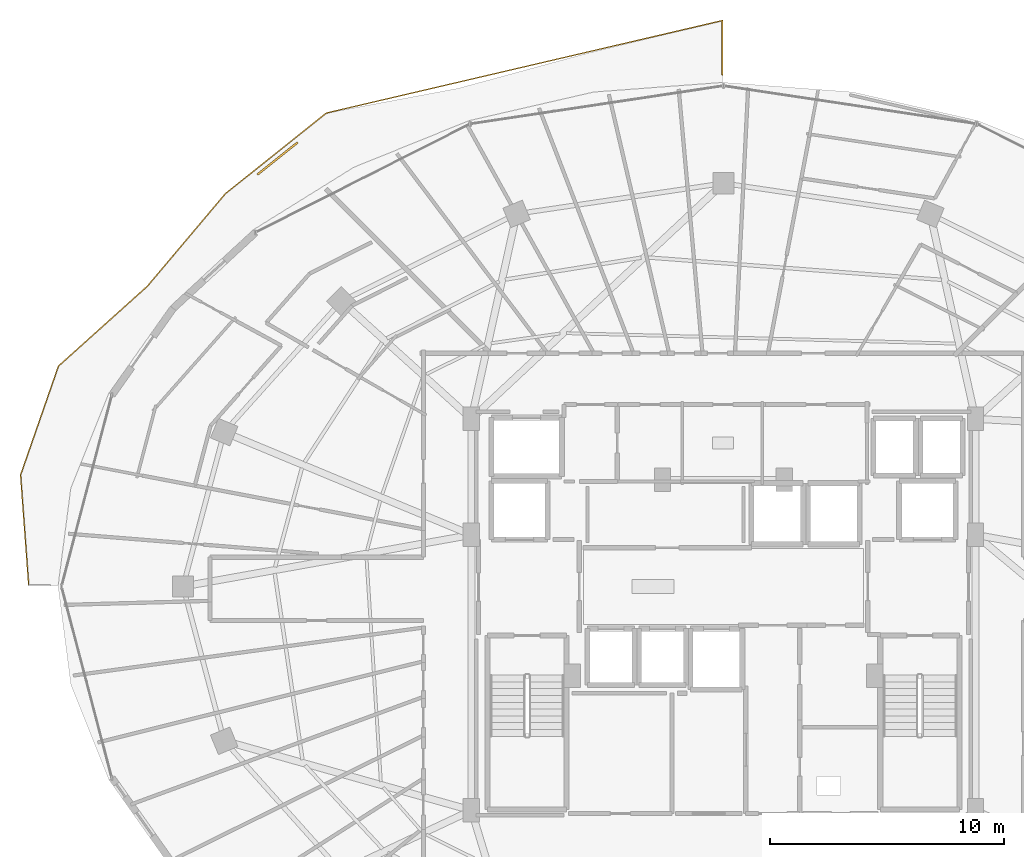
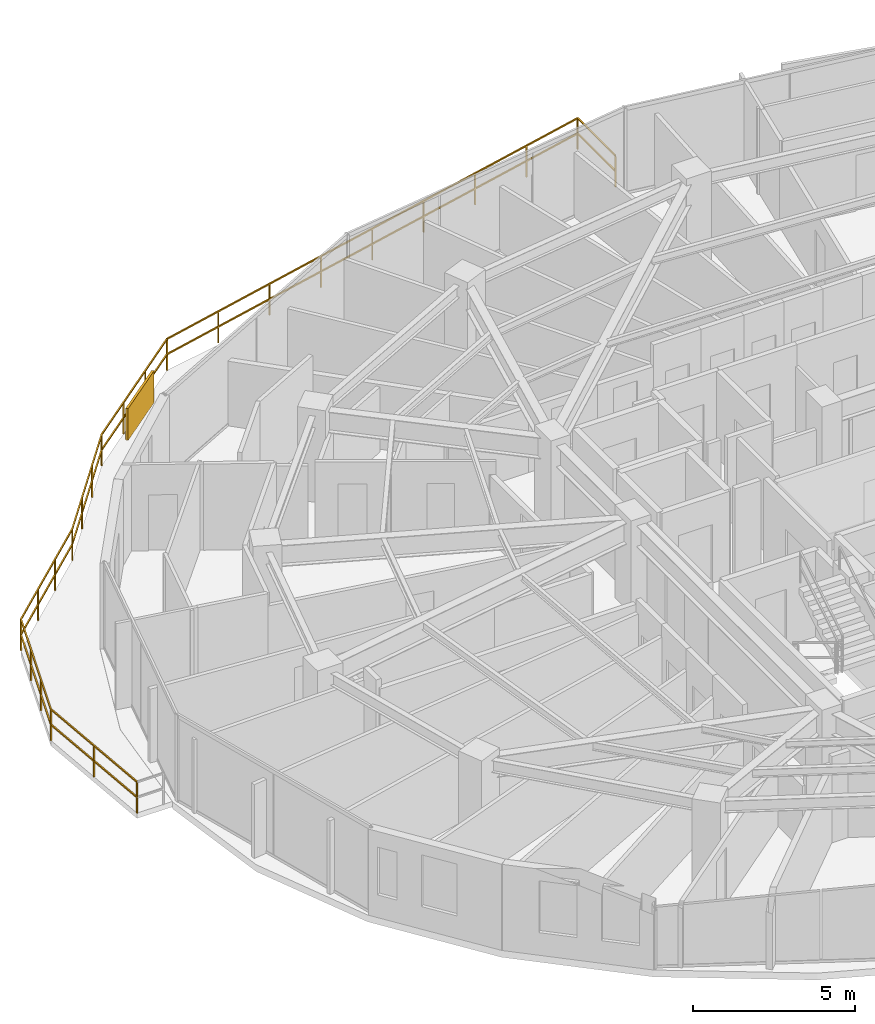
# One storey, part 30 of 31: 1 railing, 1 shading device.
"""IFC4 building model written with IfcOpenShell, lengths in metres."""

from ifc_helpers import new_model, si_unit, direction, frame, origin, origin_2d, place, context, subcontext, project, spatial, rectangle, extrude, material, type_object, element, save


model = new_model("IFC4")

# Units and contexts
model_context = context("Model", 3, precision=1e-05, world=origin(), true_north=direction((0.0, 1.0)))
body_context = subcontext(model_context, "Body", "Model", "MODEL_VIEW")
ifc_project = project(units=[si_unit("LENGTHUNIT", "METRE"), si_unit("AREAUNIT", "SQUARE_METRE"), si_unit("VOLUMEUNIT", "CUBIC_METRE"), si_unit("PLANEANGLEUNIT", "RADIAN"), si_unit("MASSUNIT", "GRAM", prefix="KILO")], contexts=[model_context])

# Site, building, storey
site_placement = place(None, origin())
site = spatial("IfcSite", under=ifc_project, at=site_placement, CompositionType="ELEMENT")
building_placement = place(site_placement, origin())
building = spatial("IfcBuilding", under=site, at=building_placement, Name="Vorneva Point Tower", CompositionType="ELEMENT")
storey_placement = place(building_placement, frame((0.0, 0.0, 193.10009765625)))
storey = spatial("IfcBuildingStorey", under=building, at=storey_placement, Name="L52", CompositionType="ELEMENT", Elevation=193.10009765625)

# Railing
ifc_material = material(Name="Pale anodised aluminium", Category="aluminium")
railing_type = type_object("IfcRailingType", Name="RL-BAL-1200", PredefinedType="BALUSTRADE", material=ifc_material)
railing_placement = place(storey_placement, frame((37.949951171875, 47.817138671875, 0.0)))
element("IfcRailing", 1, at=railing_placement, inside=storey, type_object=railing_type, Name="L52 Wave Balcony Balustrade NW.2", PredefinedType="BALUSTRADE", context=body_context, shape_type="SweptSolid", body=[
    extrude(rectangle(XDim=0.048095703125, YDim=0.048095703125, at=origin_2d()), frame((0.0, 0.0, 1.17578125), z_axis=(0.0, 1.0, 0.0), x_axis=(-1.0, 0.0, 0.0)), (0.0, 0.0, 1.0), 2.32080078125),
    extrude(rectangle(XDim=0.048095703125, YDim=0.048095703125, at=origin_2d()), frame((0.0, 0.0, 0.60009765625), z_axis=(0.0, 1.0, 0.0), x_axis=(-1.0, 0.0, 0.0)), (0.0, 0.0, 1.0), 2.32080078125),
    extrude(rectangle(XDim=0.048095703125, YDim=0.048095703125, at=origin_2d()), frame((0.0, 2.32080078125, 1.17578125), z_axis=(-0.973794466116, -0.2274298524, 0.0), x_axis=(0.2274298524, -0.973794466116, 0.0)), (0.0, 0.0, 1.0), 17.34423828125),
    extrude(rectangle(XDim=0.048095703125, YDim=0.048095703125, at=origin_2d()), frame((0.0, 2.32080078125, 0.60009765625), z_axis=(-0.973794466116, -0.2274298524, 0.0), x_axis=(0.2274298524, -0.973794466116, 0.0)), (0.0, 0.0, 1.0), 17.34423828125),
    extrude(rectangle(XDim=0.048095703125, YDim=0.048095703125, at=origin_2d()), frame((-16.8896484375, -1.623779296875, 1.17578125), z_axis=(-0.781581742766, -0.62380283694, 0.0), x_axis=(0.62380283694, -0.781581742766, 0.0)), (0.0, 0.0, 1.0), 5.508544921875),
    extrude(rectangle(XDim=0.048095703125, YDim=0.048095703125, at=origin_2d()), frame((-16.8896484375, -1.623779296875, 0.60009765625), z_axis=(-0.781581742766, -0.62380283694, 0.0), x_axis=(0.62380283694, -0.781581742766, 0.0)), (0.0, 0.0, 1.0), 5.508544921875),
    extrude(rectangle(XDim=0.048095703125, YDim=0.048095703125, at=origin_2d()), frame((-21.195068359375, -5.06005859375, 1.17578125), z_axis=(-0.644460214612, -0.764637843545, 0.0), x_axis=(0.764637843545, -0.644460214612, 0.0)), (0.0, 0.0, 1.0), 5.166015625),
    extrude(rectangle(XDim=0.048095703125, YDim=0.048095703125, at=origin_2d()), frame((-21.195068359375, -5.06005859375, 0.60009765625), z_axis=(-0.644460214612, -0.764637843545, 0.0), x_axis=(0.764637843545, -0.644460214612, 0.0)), (0.0, 0.0, 1.0), 5.166015625),
    extrude(rectangle(XDim=0.048095703125, YDim=0.048095703125, at=origin_2d()), frame((-24.5244140625, -9.01025390625, 1.17578125), z_axis=(-0.743803703003, -0.668398123425, 0.0), x_axis=(0.668398123425, -0.743803703003, 0.0)), (0.0, 0.0, 1.0), 5.09619140625),
    extrude(rectangle(XDim=0.048095703125, YDim=0.048095703125, at=origin_2d()), frame((-24.5244140625, -9.01025390625, 0.60009765625), z_axis=(-0.743803703003, -0.668398123425, 0.0), x_axis=(0.668398123425, -0.743803703003, 0.0)), (0.0, 0.0, 1.0), 5.09619140625),
    extrude(rectangle(XDim=0.048095703125, YDim=0.048095703125, at=origin_2d()), frame((-28.31494140625, -12.41650390625, 1.17578125), z_axis=(-0.328537961783, -0.944490766322, 0.0), x_axis=(0.944490766322, -0.328537961783, 0.0)), (0.0, 0.0, 1.0), 4.915771484375),
    extrude(rectangle(XDim=0.048095703125, YDim=0.048095703125, at=origin_2d()), frame((-28.31494140625, -12.41650390625, 0.60009765625), z_axis=(-0.328537961783, -0.944490766322, 0.0), x_axis=(0.944490766322, -0.328537961783, 0.0)), (0.0, 0.0, 1.0), 4.915771484375),
    extrude(rectangle(XDim=0.048095703125, YDim=0.048095703125, at=origin_2d()), frame((-29.929931640625, -17.059326171875, 1.17578125), z_axis=(0.073338251452, -0.997307124648, 0.0), x_axis=(0.997307124648, 0.073338251452, 0.0)), (0.0, 0.0, 1.0), 4.720458984375),
    extrude(rectangle(XDim=0.048095703125, YDim=0.048095703125, at=origin_2d()), frame((-29.929931640625, -17.059326171875, 0.60009765625), z_axis=(0.073338251452, -0.997307124648, 0.0), x_axis=(0.997307124648, 0.073338251452, 0.0)), (0.0, 0.0, 1.0), 4.720458984375),
    extrude(rectangle(XDim=0.0419921875, YDim=0.0419921875, at=origin_2d()), origin(), (0.0, 0.0, 1.0), 1.15185546875),
    extrude(rectangle(XDim=0.0419921875, YDim=0.0419921875, at=origin_2d()), frame((0.0, 2.32080078125, 0.0)), (0.0, 0.0, 1.0), 1.15185546875),
    extrude(rectangle(XDim=0.0419921875, YDim=0.0419921875, at=origin_2d()), frame((-2.111328125, 1.82763671875, 0.0)), (0.0, 0.0, 1.0), 1.15185546875),
    extrude(rectangle(XDim=0.0419921875, YDim=0.0419921875, at=origin_2d()), frame((-4.222412109375, 1.334716796875, 0.0)), (0.0, 0.0, 1.0), 1.15185546875),
    extrude(rectangle(XDim=0.0419921875, YDim=0.0419921875, at=origin_2d()), frame((-6.33349609375, 0.841552734375, 0.0)), (0.0, 0.0, 1.0), 1.15185546875),
    extrude(rectangle(XDim=0.0419921875, YDim=0.0419921875, at=origin_2d()), frame((-8.44482421875, 0.3486328125, 0.0)), (0.0, 0.0, 1.0), 1.15185546875),
    extrude(rectangle(XDim=0.0419921875, YDim=0.0419921875, at=origin_2d()), frame((-10.55615234375, -0.14453125, 0.0)), (0.0, 0.0, 1.0), 1.15185546875),
    extrude(rectangle(XDim=0.0419921875, YDim=0.0419921875, at=origin_2d()), frame((-12.667236328125, -0.6376953125, 0.0)), (0.0, 0.0, 1.0), 1.15185546875),
    extrude(rectangle(XDim=0.0419921875, YDim=0.0419921875, at=origin_2d()), frame((-14.7783203125, -1.130615234375, 0.0)), (0.0, 0.0, 1.0), 1.15185546875),
    extrude(rectangle(XDim=0.0419921875, YDim=0.0419921875, at=origin_2d()), frame((-16.8896484375, -1.623779296875, 0.0)), (0.0, 0.0, 1.0), 1.15185546875),
    extrude(rectangle(XDim=0.0419921875, YDim=0.0419921875, at=origin_2d()), frame((-18.32470703125, -2.769287109375, 0.0)), (0.0, 0.0, 1.0), 1.15185546875),
    extrude(rectangle(XDim=0.0419921875, YDim=0.0419921875, at=origin_2d()), frame((-19.760009765625, -3.91455078125, 0.0)), (0.0, 0.0, 1.0), 1.15185546875),
    extrude(rectangle(XDim=0.0419921875, YDim=0.0419921875, at=origin_2d()), frame((-21.195068359375, -5.06005859375, 0.0)), (0.0, 0.0, 1.0), 1.15185546875),
    extrude(rectangle(XDim=0.0419921875, YDim=0.0419921875, at=origin_2d()), frame((-22.304931640625, -6.376708984375, 0.0)), (0.0, 0.0, 1.0), 1.15185546875),
    extrude(rectangle(XDim=0.0419921875, YDim=0.0419921875, at=origin_2d()), frame((-23.41455078125, -7.693603515625, 0.0)), (0.0, 0.0, 1.0), 1.15185546875),
    extrude(rectangle(XDim=0.0419921875, YDim=0.0419921875, at=origin_2d()), frame((-24.5244140625, -9.01025390625, 0.0)), (0.0, 0.0, 1.0), 1.15185546875),
    extrude(rectangle(XDim=0.0419921875, YDim=0.0419921875, at=origin_2d()), frame((-25.787841796875, -10.145751953125, 0.0)), (0.0, 0.0, 1.0), 1.15185546875),
    extrude(rectangle(XDim=0.0419921875, YDim=0.0419921875, at=origin_2d()), frame((-27.051513671875, -11.281005859375, 0.0)), (0.0, 0.0, 1.0), 1.15185546875),
    extrude(rectangle(XDim=0.0419921875, YDim=0.0419921875, at=origin_2d()), frame((-28.31494140625, -12.41650390625, 0.0)), (0.0, 0.0, 1.0), 1.15185546875),
    extrude(rectangle(XDim=0.0419921875, YDim=0.0419921875, at=origin_2d()), frame((-28.853271484375, -13.964111328125, 0.0)), (0.0, 0.0, 1.0), 1.15185546875),
    extrude(rectangle(XDim=0.0419921875, YDim=0.0419921875, at=origin_2d()), frame((-29.3916015625, -15.51171875, 0.0)), (0.0, 0.0, 1.0), 1.15185546875),
    extrude(rectangle(XDim=0.0419921875, YDim=0.0419921875, at=origin_2d()), frame((-29.929931640625, -17.059326171875, 0.0)), (0.0, 0.0, 1.0), 1.15185546875),
    extrude(rectangle(XDim=0.0419921875, YDim=0.0419921875, at=origin_2d()), frame((-29.7568359375, -19.4130859375, 0.0)), (0.0, 0.0, 1.0), 1.15185546875),
    extrude(rectangle(XDim=0.0419921875, YDim=0.0419921875, at=origin_2d()), frame((-29.583740234375, -21.76708984375, 0.0)), (0.0, 0.0, 1.0), 1.15185546875),
])

# Shading device
shading_device_type = type_object("IfcShadingDeviceType", Name="SHD-JAL-1200", PredefinedType="JALOUSIE", material=ifc_material)
shading_device_placement = place(storey_placement, frame((18.978759765625, 44.253173828125, -0.02001953125), z_axis=(0.0, 0.0, 1.0), x_axis=(-0.781574913208, -0.623811393807, 0.0)))
element("IfcShadingDevice", 2, at=shading_device_placement, inside=storey, type_object=shading_device_type, Name="L52 Balcony Vertical-Greenery Planter Screen NW.2", PredefinedType="JALOUSIE", context=body_context, shape_type="SweptSolid", body=[
    extrude(rectangle(XDim=2.199951171875, YDim=0.080078125, at=origin_2d()), origin(), (0.0, 0.0, 1.0), 1.199951171875),
])

save(model, "model.ifc")
